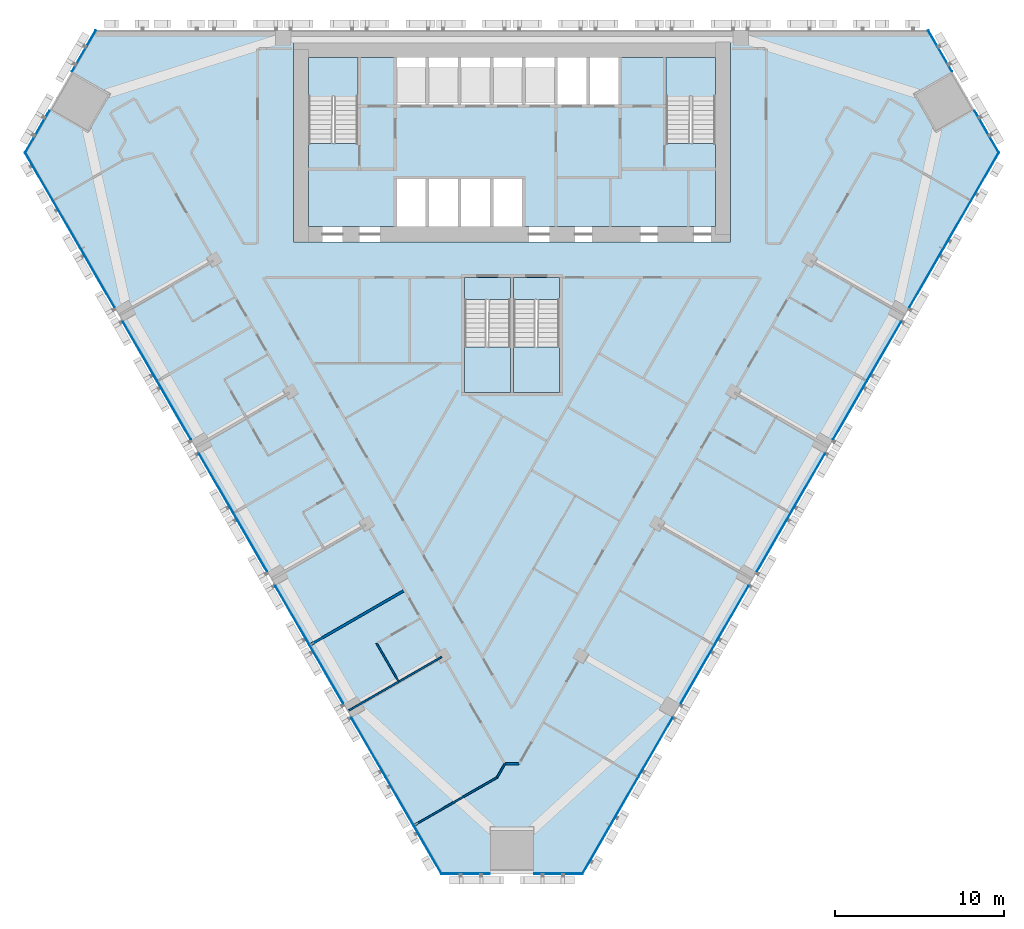
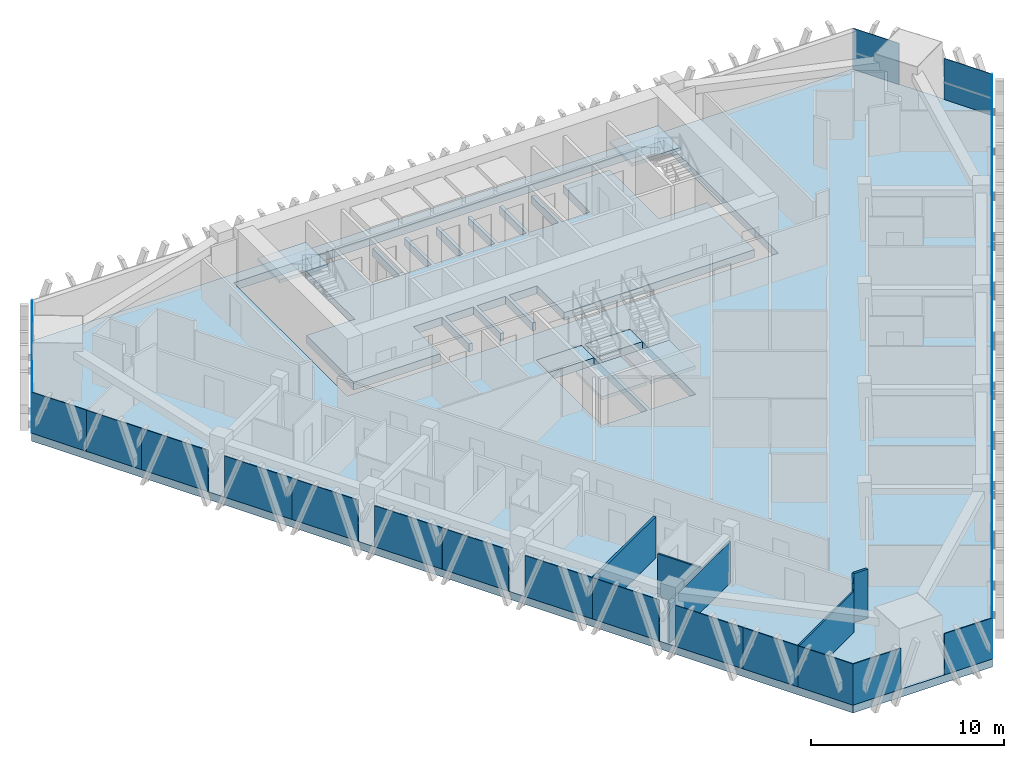
# One storey, part 8 of 16: 30 plates, 8 slabs, 6 walls, 9 elements without a shape of their own.
"""IFC4 building model written with IfcOpenShell, lengths in metres."""

from ifc_helpers import new_model, si_unit, direction, frame, frame_2d, origin, origin_2d, place, context, subcontext, project, spatial, polyline, rectangle, outline, extrude, material, layer, layer_set, type_object, element, aggregate, save


model = new_model("IFC4")

# Units and contexts
model_context = context("Model", 3, precision=1e-05, world=origin(), true_north=direction((0.0, 1.0)))
body_context = subcontext(model_context, "Body", "Model", "MODEL_VIEW")
ifc_project = project(units=[si_unit("LENGTHUNIT", "METRE"), si_unit("AREAUNIT", "SQUARE_METRE"), si_unit("VOLUMEUNIT", "CUBIC_METRE"), si_unit("PLANEANGLEUNIT", "RADIAN"), si_unit("MASSUNIT", "GRAM", prefix="KILO")], contexts=[model_context])

# Site, building, storey
site_placement = place(None, origin())
site = spatial("IfcSite", under=ifc_project, at=site_placement, CompositionType="ELEMENT")
building_placement = place(site_placement, origin())
building = spatial("IfcBuilding", under=site, at=building_placement, Name="Altiplano Prism Tower", CompositionType="ELEMENT")
storey_placement = place(building_placement, frame((0.0, 0.0, 104.39990234375)))
storey = spatial("IfcBuildingStorey", under=building, at=storey_placement, Name="L26", CompositionType="ELEMENT", Elevation=104.39990234375)

# Curtain wall, plates
ifc_material_1 = material(Name="Aluminium and glass", Category="aluminium")
ifc_layer_1 = layer(ifc_material_1, 0.280029296875)
ifc_layer_set_1 = layer_set([ifc_layer_1], Name="Aluminium and glass")
curtain_wall_type = type_object("IfcCurtainWallType", Name="CW1 typical co-living unitised curtain wall", PredefinedType="NOTDEFINED", material=ifc_layer_set_1)
curtain_wall_1_placement = place(storey_placement, origin())
curtain_wall_1 = element("IfcCurtainWall", 1, at=curtain_wall_1_placement, inside=storey, type_object=curtain_wall_type, Name="CW1 curtain wall north-west chamfer L26", PredefinedType="NOTDEFINED")
ifc_material_2 = material(Name="Clear glass", Category="glass")
ifc_layer_2 = layer(ifc_material_2, 0.0400390625)
ifc_layer_set_2 = layer_set([ifc_layer_2], Name="Clear glass")
plate_type = type_object("IfcPlateType", Name="CW1 insulated glass unit 40", PredefinedType="CURTAIN_PANEL", material=ifc_layer_set_2)
plate_1_placement = place(storey_placement, frame((59.730712890625, 103.78076171875, 0.0), z_axis=(0.0, 0.0, 1.0), x_axis=(-0.500000036442, -0.866025382744, 0.0)))
plate_1 = element("IfcPlate", 2, at=plate_1_placement, type_object=plate_type, Name="CW1 panel", PredefinedType="CURTAIN_PANEL", context=body_context, shape_type="SweptSolid", body=[
    extrude(rectangle(XDim=2.78271484375, YDim=0.0400390625, at=origin_2d()), origin(), (0.0, 0.0, 1.0), 2.60009765625),
])
plate_2_placement = place(storey_placement, frame((56.974609375, 99.0068359375, 0.0), z_axis=(0.0, 0.0, 1.0), x_axis=(-0.500000036442, -0.866025382744, 0.0)))
plate_2 = element("IfcPlate", 3, at=plate_2_placement, type_object=plate_type, Name="CW1 panel", PredefinedType="CURTAIN_PANEL", context=body_context, shape_type="SweptSolid", body=[
    extrude(rectangle(XDim=2.862548828125, YDim=0.0400390625, at=origin_2d()), origin(), (0.0, 0.0, 1.0), 2.60009765625),
])
aggregate(curtain_wall_1, [plate_1, plate_2])

curtain_wall_2_placement = place(storey_placement, origin())
curtain_wall_2 = element("IfcCurtainWall", 4, at=curtain_wall_2_placement, inside=storey, type_object=curtain_wall_type, Name="CW1 curtain wall south-west face L26", PredefinedType="NOTDEFINED")
plate_3_placement = place(storey_placement, frame((57.079833984375, 96.3564453125, 0.0), z_axis=(0.0, 0.0, 1.0), x_axis=(0.500000003371, -0.866025401838, 0.0)))
plate_3 = element("IfcPlate", 5, at=plate_3_placement, type_object=plate_type, Name="CW1 panel", PredefinedType="CURTAIN_PANEL", context=body_context, shape_type="SweptSolid", body=[
    extrude(rectangle(XDim=3.2841796875, YDim=0.0400390625, at=origin_2d()), origin(), (0.0, 0.0, 1.0), 2.60009765625),
])
plate_4_placement = place(storey_placement, frame((58.72705078125, 93.503662109375, 0.0), z_axis=(0.0, 0.0, 1.0), x_axis=(0.500000003371, -0.866025401838, 0.0)))
plate_4 = element("IfcPlate", 6, at=plate_4_placement, type_object=plate_type, Name="CW1 panel", PredefinedType="CURTAIN_PANEL", context=body_context, shape_type="SweptSolid", body=[
    extrude(rectangle(XDim=3.2841796875, YDim=0.0400390625, at=origin_2d()), origin(), (0.0, 0.0, 1.0), 2.60009765625),
])
plate_5_placement = place(storey_placement, frame((60.543212890625, 90.35791015625, 0.0), z_axis=(0.0, 0.0, 1.0), x_axis=(0.500000003371, -0.866025401838, 0.0)))
plate_5 = element("IfcPlate", 7, at=plate_5_placement, type_object=plate_type, Name="CW1 panel", PredefinedType="CURTAIN_PANEL", context=body_context, shape_type="SweptSolid", body=[
    extrude(rectangle(XDim=3.96044921875, YDim=0.0400390625, at=origin_2d()), origin(), (0.0, 0.0, 1.0), 2.60009765625),
])
plate_6_placement = place(storey_placement, frame((63.038330078125, 86.036376953125, 0.0), z_axis=(0.0, 0.0, 1.0), x_axis=(0.500000003371, -0.866025401838, 0.0)))
plate_6 = element("IfcPlate", 8, at=plate_6_placement, type_object=plate_type, Name="CW1 panel", PredefinedType="CURTAIN_PANEL", context=body_context, shape_type="SweptSolid", body=[
    extrude(rectangle(XDim=4.039306640625, YDim=0.0400390625, at=origin_2d()), origin(), (0.0, 0.0, 1.0), 2.60009765625),
])
plate_7_placement = place(storey_placement, frame((65.043212890625, 82.563720703125, 0.0), z_axis=(0.0, 0.0, 1.0), x_axis=(0.500000003371, -0.866025401838, 0.0)))
plate_7 = element("IfcPlate", 9, at=plate_7_placement, type_object=plate_type, Name="CW1 panel", PredefinedType="CURTAIN_PANEL", context=body_context, shape_type="SweptSolid", body=[
    extrude(rectangle(XDim=3.96044921875, YDim=0.0400390625, at=origin_2d()), origin(), (0.0, 0.0, 1.0), 2.60009765625),
])
plate_8_placement = place(storey_placement, frame((67.538330078125, 78.2421875, 0.0), z_axis=(0.0, 0.0, 1.0), x_axis=(0.500000003371, -0.866025401838, 0.0)))
plate_8 = element("IfcPlate", 10, at=plate_8_placement, type_object=plate_type, Name="CW1 panel", PredefinedType="CURTAIN_PANEL", context=body_context, shape_type="SweptSolid", body=[
    extrude(rectangle(XDim=4.039306640625, YDim=0.0400390625, at=origin_2d()), origin(), (0.0, 0.0, 1.0), 2.60009765625),
])
plate_9_placement = place(storey_placement, frame((69.543212890625, 74.76953125, 0.0), z_axis=(0.0, 0.0, 1.0), x_axis=(0.500000003371, -0.866025401838, 0.0)))
plate_9 = element("IfcPlate", 11, at=plate_9_placement, type_object=plate_type, Name="CW1 panel", PredefinedType="CURTAIN_PANEL", context=body_context, shape_type="SweptSolid", body=[
    extrude(rectangle(XDim=3.96044921875, YDim=0.0400390625, at=origin_2d()), origin(), (0.0, 0.0, 1.0), 2.60009765625),
])
plate_10_placement = place(storey_placement, frame((72.038330078125, 70.447998046875, 0.0), z_axis=(0.0, 0.0, 1.0), x_axis=(0.500000003371, -0.866025401838, 0.0)))
plate_10 = element("IfcPlate", 12, at=plate_10_placement, type_object=plate_type, Name="CW1 panel", PredefinedType="CURTAIN_PANEL", context=body_context, shape_type="SweptSolid", body=[
    extrude(rectangle(XDim=4.039306640625, YDim=0.0400390625, at=origin_2d()), origin(), (0.0, 0.0, 1.0), 2.60009765625),
])
plate_11_placement = place(storey_placement, frame((74.043212890625, 66.975341796875, 0.0), z_axis=(0.0, 0.0, 1.0), x_axis=(0.500000003371, -0.866025401838, 0.0)))
plate_11 = element("IfcPlate", 13, at=plate_11_placement, type_object=plate_type, Name="CW1 panel", PredefinedType="CURTAIN_PANEL", context=body_context, shape_type="SweptSolid", body=[
    extrude(rectangle(XDim=3.96044921875, YDim=0.0400390625, at=origin_2d()), origin(), (0.0, 0.0, 1.0), 2.60009765625),
])
plate_12_placement = place(storey_placement, frame((76.538330078125, 62.65380859375, 0.0), z_axis=(0.0, 0.0, 1.0), x_axis=(0.500000003371, -0.866025401838, 0.0)))
plate_12 = element("IfcPlate", 14, at=plate_12_placement, type_object=plate_type, Name="CW1 panel", PredefinedType="CURTAIN_PANEL", context=body_context, shape_type="SweptSolid", body=[
    extrude(rectangle(XDim=4.039306640625, YDim=0.0400390625, at=origin_2d()), origin(), (0.0, 0.0, 1.0), 2.60009765625),
])
plate_13_placement = place(storey_placement, frame((78.3740234375, 59.473876953125, 0.0), z_axis=(0.0, 0.0, 1.0), x_axis=(0.500000003371, -0.866025401838, 0.0)))
plate_13 = element("IfcPlate", 15, at=plate_13_placement, type_object=plate_type, Name="CW1 panel", PredefinedType="CURTAIN_PANEL", context=body_context, shape_type="SweptSolid", body=[
    extrude(rectangle(XDim=3.2841796875, YDim=0.0400390625, at=origin_2d()), origin(), (0.0, 0.0, 1.0), 2.60009765625),
])
plate_14_placement = place(storey_placement, frame((80.021240234375, 56.62109375, 0.0), z_axis=(0.0, 0.0, 1.0), x_axis=(0.500000003371, -0.866025401838, 0.0)))
plate_14 = element("IfcPlate", 16, at=plate_14_placement, type_object=plate_type, Name="CW1 panel", PredefinedType="CURTAIN_PANEL", context=body_context, shape_type="SweptSolid", body=[
    extrude(rectangle(XDim=3.2841796875, YDim=0.0400390625, at=origin_2d()), origin(), (0.0, 0.0, 1.0), 2.60009765625),
])
aggregate(curtain_wall_2, [plate_3, plate_4, plate_5, plate_6, plate_7, plate_8, plate_9, plate_10, plate_11, plate_12, plate_13, plate_14])

curtain_wall_3_placement = place(storey_placement, origin())
curtain_wall_3 = element("IfcCurtainWall", 17, at=curtain_wall_3_placement, inside=storey, type_object=curtain_wall_type, Name="CW1 curtain wall south chamfer L26", PredefinedType="NOTDEFINED")
plate_15_placement = place(storey_placement, frame((82.263671875, 55.20458984375, 0.0), z_axis=(0.0, 0.0, 1.0), x_axis=(1.0, 0.0, 0.0)))
plate_15 = element("IfcPlate", 18, at=plate_15_placement, type_object=plate_type, Name="CW1 panel", PredefinedType="CURTAIN_PANEL", context=body_context, shape_type="SweptSolid", body=[
    extrude(rectangle(XDim=2.862548828125, YDim=0.0400390625, at=origin_2d()), origin(), (0.0, 0.0, 1.0), 2.60009765625),
])
plate_16_placement = place(storey_placement, frame((87.736328125, 55.20458984375, 0.0), z_axis=(0.0, 0.0, 1.0), x_axis=(1.0, 0.0, 0.0)))
plate_16 = element("IfcPlate", 19, at=plate_16_placement, type_object=plate_type, Name="CW1 panel", PredefinedType="CURTAIN_PANEL", context=body_context, shape_type="SweptSolid", body=[
    extrude(rectangle(XDim=2.862548828125, YDim=0.0400390625, at=origin_2d()), origin(), (0.0, 0.0, 1.0), 2.60009765625),
])
aggregate(curtain_wall_3, [plate_15, plate_16])

curtain_wall_4_placement = place(storey_placement, origin())
curtain_wall_4 = element("IfcCurtainWall", 20, at=curtain_wall_4_placement, inside=storey, type_object=curtain_wall_type, Name="CW1 curtain wall south-east face L26", PredefinedType="NOTDEFINED")
plate_17_placement = place(storey_placement, frame((89.978759765625, 56.62109375, 0.0), z_axis=(0.0, 0.0, 1.0), x_axis=(0.500000003371, 0.866025401838, 0.0)))
plate_17 = element("IfcPlate", 21, at=plate_17_placement, type_object=plate_type, Name="CW1 panel", PredefinedType="CURTAIN_PANEL", context=body_context, shape_type="SweptSolid", body=[
    extrude(rectangle(XDim=3.2841796875, YDim=0.0400390625, at=origin_2d()), origin(), (0.0, 0.0, 1.0), 2.60009765625),
])
plate_18_placement = place(storey_placement, frame((91.6259765625, 59.473876953125, 0.0), z_axis=(0.0, 0.0, 1.0), x_axis=(0.500000003371, 0.866025401838, 0.0)))
plate_18 = element("IfcPlate", 22, at=plate_18_placement, type_object=plate_type, Name="CW1 panel", PredefinedType="CURTAIN_PANEL", context=body_context, shape_type="SweptSolid", body=[
    extrude(rectangle(XDim=3.2841796875, YDim=0.0400390625, at=origin_2d()), origin(), (0.0, 0.0, 1.0), 2.60009765625),
])
plate_19_placement = place(storey_placement, frame((93.461669921875, 62.65380859375, 0.0), z_axis=(0.0, 0.0, 1.0), x_axis=(0.500000003371, 0.866025401838, 0.0)))
plate_19 = element("IfcPlate", 23, at=plate_19_placement, type_object=plate_type, Name="CW1 panel", PredefinedType="CURTAIN_PANEL", context=body_context, shape_type="SweptSolid", body=[
    extrude(rectangle(XDim=4.039306640625, YDim=0.0400390625, at=origin_2d()), origin(), (0.0, 0.0, 1.0), 2.60009765625),
])
plate_20_placement = place(storey_placement, frame((95.956787109375, 66.975341796875, 0.0), z_axis=(0.0, 0.0, 1.0), x_axis=(0.500000003371, 0.866025401838, 0.0)))
plate_20 = element("IfcPlate", 24, at=plate_20_placement, type_object=plate_type, Name="CW1 panel", PredefinedType="CURTAIN_PANEL", context=body_context, shape_type="SweptSolid", body=[
    extrude(rectangle(XDim=3.96044921875, YDim=0.0400390625, at=origin_2d()), origin(), (0.0, 0.0, 1.0), 2.60009765625),
])
plate_21_placement = place(storey_placement, frame((97.961669921875, 70.447998046875, 0.0), z_axis=(0.0, 0.0, 1.0), x_axis=(0.500000003371, 0.866025401838, 0.0)))
plate_21 = element("IfcPlate", 25, at=plate_21_placement, type_object=plate_type, Name="CW1 panel", PredefinedType="CURTAIN_PANEL", context=body_context, shape_type="SweptSolid", body=[
    extrude(rectangle(XDim=4.039306640625, YDim=0.0400390625, at=origin_2d()), origin(), (0.0, 0.0, 1.0), 2.60009765625),
])
plate_22_placement = place(storey_placement, frame((100.456787109375, 74.76953125, 0.0), z_axis=(0.0, 0.0, 1.0), x_axis=(0.500000003371, 0.866025401838, 0.0)))
plate_22 = element("IfcPlate", 26, at=plate_22_placement, type_object=plate_type, Name="CW1 panel", PredefinedType="CURTAIN_PANEL", context=body_context, shape_type="SweptSolid", body=[
    extrude(rectangle(XDim=3.96044921875, YDim=0.0400390625, at=origin_2d()), origin(), (0.0, 0.0, 1.0), 2.60009765625),
])
plate_23_placement = place(storey_placement, frame((102.461669921875, 78.2421875, 0.0), z_axis=(0.0, 0.0, 1.0), x_axis=(0.500000003371, 0.866025401838, 0.0)))
plate_23 = element("IfcPlate", 27, at=plate_23_placement, type_object=plate_type, Name="CW1 panel", PredefinedType="CURTAIN_PANEL", context=body_context, shape_type="SweptSolid", body=[
    extrude(rectangle(XDim=4.039306640625, YDim=0.0400390625, at=origin_2d()), origin(), (0.0, 0.0, 1.0), 2.60009765625),
])
plate_24_placement = place(storey_placement, frame((104.956787109375, 82.563720703125, 0.0), z_axis=(0.0, 0.0, 1.0), x_axis=(0.500000003371, 0.866025401838, 0.0)))
plate_24 = element("IfcPlate", 28, at=plate_24_placement, type_object=plate_type, Name="CW1 panel", PredefinedType="CURTAIN_PANEL", context=body_context, shape_type="SweptSolid", body=[
    extrude(rectangle(XDim=3.96044921875, YDim=0.0400390625, at=origin_2d()), origin(), (0.0, 0.0, 1.0), 2.60009765625),
])
plate_25_placement = place(storey_placement, frame((106.961669921875, 86.036376953125, 0.0), z_axis=(0.0, 0.0, 1.0), x_axis=(0.500000003371, 0.866025401838, 0.0)))
plate_25 = element("IfcPlate", 29, at=plate_25_placement, type_object=plate_type, Name="CW1 panel", PredefinedType="CURTAIN_PANEL", context=body_context, shape_type="SweptSolid", body=[
    extrude(rectangle(XDim=4.039306640625, YDim=0.0400390625, at=origin_2d()), origin(), (0.0, 0.0, 1.0), 2.60009765625),
])
plate_26_placement = place(storey_placement, frame((109.456787109375, 90.35791015625, 0.0), z_axis=(0.0, 0.0, 1.0), x_axis=(0.500000003371, 0.866025401838, 0.0)))
plate_26 = element("IfcPlate", 30, at=plate_26_placement, type_object=plate_type, Name="CW1 panel", PredefinedType="CURTAIN_PANEL", context=body_context, shape_type="SweptSolid", body=[
    extrude(rectangle(XDim=3.96044921875, YDim=0.0400390625, at=origin_2d()), origin(), (0.0, 0.0, 1.0), 2.60009765625),
])
plate_27_placement = place(storey_placement, frame((111.27294921875, 93.503662109375, 0.0), z_axis=(0.0, 0.0, 1.0), x_axis=(0.500000003371, 0.866025401838, 0.0)))
plate_27 = element("IfcPlate", 31, at=plate_27_placement, type_object=plate_type, Name="CW1 panel", PredefinedType="CURTAIN_PANEL", context=body_context, shape_type="SweptSolid", body=[
    extrude(rectangle(XDim=3.2841796875, YDim=0.0400390625, at=origin_2d()), origin(), (0.0, 0.0, 1.0), 2.60009765625),
])
plate_28_placement = place(storey_placement, frame((112.920166015625, 96.3564453125, 0.0), z_axis=(0.0, 0.0, 1.0), x_axis=(0.500000003371, 0.866025401838, 0.0)))
plate_28 = element("IfcPlate", 32, at=plate_28_placement, type_object=plate_type, Name="CW1 panel", PredefinedType="CURTAIN_PANEL", context=body_context, shape_type="SweptSolid", body=[
    extrude(rectangle(XDim=3.2841796875, YDim=0.0400390625, at=origin_2d()), origin(), (0.0, 0.0, 1.0), 2.60009765625),
])
aggregate(curtain_wall_4, [plate_17, plate_18, plate_19, plate_20, plate_21, plate_22, plate_23, plate_24, plate_25, plate_26, plate_27, plate_28])

curtain_wall_5_placement = place(storey_placement, origin())
curtain_wall_5 = element("IfcCurtainWall", 33, at=curtain_wall_5_placement, inside=storey, type_object=curtain_wall_type, Name="CW1 curtain wall north-east chamfer L26", PredefinedType="NOTDEFINED")
plate_29_placement = place(storey_placement, frame((113.025390625, 99.0068359375, 0.0), z_axis=(0.0, 0.0, 1.0), x_axis=(-0.500000036442, 0.866025382744, 0.0)))
plate_29 = element("IfcPlate", 34, at=plate_29_placement, type_object=plate_type, Name="CW1 panel", PredefinedType="CURTAIN_PANEL", context=body_context, shape_type="SweptSolid", body=[
    extrude(rectangle(XDim=2.862548828125, YDim=0.0400390625, at=origin_2d()), origin(), (0.0, 0.0, 1.0), 2.60009765625),
])
plate_30_placement = place(storey_placement, frame((110.269287109375, 103.78076171875, 0.0), z_axis=(0.0, 0.0, 1.0), x_axis=(-0.500000036442, 0.866025382744, 0.0)))
plate_30 = element("IfcPlate", 35, at=plate_30_placement, type_object=plate_type, Name="CW1 panel", PredefinedType="CURTAIN_PANEL", context=body_context, shape_type="SweptSolid", body=[
    extrude(rectangle(XDim=2.78271484375, YDim=0.0400390625, at=origin_2d()), origin(), (0.0, 0.0, 1.0), 2.60009765625),
])
aggregate(curtain_wall_5, [plate_29, plate_30])

# Slabs
ifc_material_3 = material(Name="Concrete C40/50", Category="concrete")
ifc_layer_3 = layer(ifc_material_3, 0.5)
ifc_layer_set_3 = layer_set([ifc_layer_3], Name="Concrete C40/50")
slab_type_1 = type_object("IfcSlabType", Name="Core floor slab 500", PredefinedType="FLOOR", material=ifc_layer_set_3)
slab_1_placement = place(storey_placement, frame((0.0, 0.0, -0.5)))
element("IfcSlab", 36, at=slab_1_placement, inside=storey, type_object=slab_type_1, Name="Core floor slab L26", PredefinedType="FLOOR", context=body_context, shape_type="SweptSolid", body=[
    extrude(outline(polyline([(97.0, 98.31005859375), (94.10009765625, 98.31005859375), (94.10009765625, 103.39990234375), (91.300048828125, 103.39990234375), (91.300048828125, 100.60009765625), (89.60009765625, 100.60009765625), (89.60009765625, 103.39990234375), (89.39990234375, 103.39990234375), (89.39990234375, 100.60009765625), (87.699951171875, 100.60009765625), (87.699951171875, 103.39990234375), (87.5, 103.39990234375), (87.5, 100.60009765625), (85.800048828125, 100.60009765625), (85.800048828125, 103.39990234375), (85.60009765625, 103.39990234375), (85.60009765625, 100.60009765625), (83.89990234375, 100.60009765625), (83.89990234375, 103.39990234375), (83.699951171875, 103.39990234375), (83.699951171875, 100.60009765625), (82.0, 100.60009765625), (82.0, 103.39990234375), (81.800048828125, 103.39990234375), (81.800048828125, 100.60009765625), (80.10009765625, 100.60009765625), (80.10009765625, 103.39990234375), (79.89990234375, 103.39990234375), (79.89990234375, 100.60009765625), (78.199951171875, 100.60009765625), (78.199951171875, 103.39990234375), (75.89990234375, 103.39990234375), (75.89990234375, 98.31005859375), (73.0, 98.31005859375), (73.0, 93.39990234375), (78.199951171875, 93.39990234375), (78.199951171875, 96.199951171875), (79.89990234375, 96.199951171875), (79.89990234375, 93.39990234375), (80.10009765625, 93.39990234375), (80.10009765625, 96.199951171875), (81.800048828125, 96.199951171875), (81.800048828125, 93.39990234375), (82.0, 93.39990234375), (82.0, 96.199951171875), (83.699951171875, 96.199951171875), (83.699951171875, 93.39990234375), (83.89990234375, 93.39990234375), (83.89990234375, 96.199951171875), (85.60009765625, 96.199951171875), (85.60009765625, 93.39990234375), (97.0, 93.39990234375), (97.0, 98.31005859375)])), origin(), (0.0, 0.0, 1.0), 0.5),
])
slab_2_placement = place(storey_placement, frame((0.0, 0.0, -0.5)))
element("IfcSlab", 37, at=slab_2_placement, inside=storey, type_object=slab_type_1, Name="Stair 3A landing slab L26", PredefinedType="FLOOR", context=body_context, shape_type="SweptSolid", body=[
    extrude(outline(polyline([(82.199951171875, 89.096923828125), (84.89990234375, 89.096923828125), (84.89990234375, 90.39990234375), (82.199951171875, 90.39990234375), (82.199951171875, 89.096923828125)])), origin(), (0.0, 0.0, 1.0), 0.5),
])
slab_3_placement = place(storey_placement, frame((0.0, 0.0, -0.5)))
element("IfcSlab", 38, at=slab_3_placement, inside=storey, type_object=slab_type_1, Name="Stair 3B landing slab L26", PredefinedType="FLOOR", context=body_context, shape_type="SweptSolid", body=[
    extrude(outline(polyline([(85.10009765625, 89.096923828125), (87.800048828125, 89.096923828125), (87.800048828125, 90.39990234375), (85.10009765625, 90.39990234375), (85.10009765625, 89.096923828125)])), origin(), (0.0, 0.0, 1.0), 0.5),
])
ifc_layer_4 = layer(ifc_material_3, 0.5)
ifc_layer_set_4 = layer_set([ifc_layer_4], Name="Concrete C40/50")
slab_type_2 = type_object("IfcSlabType", Name="Post-tensioned flat slab 500", PredefinedType="FLOOR", material=ifc_layer_set_4)
slab_4_placement = place(storey_placement, frame((0.0, 0.0, -0.5)))
element("IfcSlab", 39, at=slab_4_placement, inside=storey, type_object=slab_type_2, Name="Floor slab L26", PredefinedType="FLOOR", context=body_context, shape_type="SweptSolid", body=[
    extrude(outline(polyline([(80.827392578125, 55.1845703125), (56.239013671875, 97.77294921875), (60.41162109375, 105.0), (109.58837890625, 105.0), (113.760986328125, 97.77294921875), (89.172607421875, 55.1845703125), (80.827392578125, 55.1845703125)]), holes=[polyline([(72.10009765625, 104.300048828125), (72.10009765625, 92.5), (97.89990234375, 92.5), (97.89990234375, 104.300048828125), (72.10009765625, 104.300048828125)]), polyline([(84.89990234375, 90.39990234375), (82.199951171875, 90.39990234375), (82.199951171875, 83.60009765625), (84.89990234375, 83.60009765625), (84.89990234375, 90.39990234375)]), polyline([(87.800048828125, 83.60009765625), (87.800048828125, 90.39990234375), (85.10009765625, 90.39990234375), (85.10009765625, 83.60009765625), (87.800048828125, 83.60009765625)])]), origin(), (0.0, 0.0, 1.0), 0.5),
])

# Stair, slab
stair_type_1 = type_object("IfcStairType", Name="Exit stair 1400", PredefinedType="HALF_TURN_STAIR", material=ifc_material_3)
stair_1_placement = place(storey_placement, origin())
stair_1 = element("IfcStair", 40, at=stair_1_placement, inside=storey, type_object=stair_type_1, Name="L26 Exit Stair 1", PredefinedType="HALF_TURN_STAIR")
ifc_layer_5 = layer(ifc_material_3, 0.199951171875)
ifc_layer_set_5 = layer_set([ifc_layer_5], Name="Concrete C40/50")
slab_type_3 = type_object("IfcSlabType", Name="Stair landing 200", PredefinedType="LANDING", material=ifc_layer_set_5)
slab_5_placement = place(storey_placement, frame((0.0, 0.0, 1.60009765625)))
slab_5 = element("IfcSlab", 41, at=slab_5_placement, type_object=slab_type_3, Name="ST1 landing 1", PredefinedType="LANDING", context=body_context, shape_type="SweptSolid", body=[
    extrude(outline(polyline([(75.89990234375, 101.096923828125), (75.89990234375, 103.39990234375), (73.0, 103.39990234375), (73.0, 101.096923828125), (75.89990234375, 101.096923828125)])), origin(), (0.0, 0.0, 1.0), 0.199951171875),
])
aggregate(stair_1, [slab_5])

stair_2_placement = place(storey_placement, origin())
stair_2 = element("IfcStair", 42, at=stair_2_placement, inside=storey, type_object=stair_type_1, Name="L26 Exit Stair 2", PredefinedType="HALF_TURN_STAIR")
slab_6_placement = place(storey_placement, frame((0.0, 0.0, 1.60009765625)))
slab_6 = element("IfcSlab", 43, at=slab_6_placement, type_object=slab_type_3, Name="ST2 landing 1", PredefinedType="LANDING", context=body_context, shape_type="SweptSolid", body=[
    extrude(outline(polyline([(97.0, 101.096923828125), (97.0, 103.39990234375), (94.10009765625, 103.39990234375), (94.10009765625, 101.096923828125), (97.0, 101.096923828125)])), origin(), (0.0, 0.0, 1.0), 0.199951171875),
])
aggregate(stair_2, [slab_6])

stair_type_2 = type_object("IfcStairType", Name="Exit stair 1300", PredefinedType="HALF_TURN_STAIR", material=ifc_material_3)
stair_3_placement = place(storey_placement, origin())
stair_3 = element("IfcStair", 44, at=stair_3_placement, inside=storey, type_object=stair_type_2, Name="L26 Exit Stair 3A", PredefinedType="HALF_TURN_STAIR")
slab_7_placement = place(storey_placement, frame((0.0, 0.0, 1.60009765625)))
slab_7 = element("IfcSlab", 45, at=slab_7_placement, type_object=slab_type_3, Name="ST3A landing 1", PredefinedType="LANDING", context=body_context, shape_type="SweptSolid", body=[
    extrude(outline(polyline([(82.199951171875, 86.302978515625), (82.199951171875, 83.60009765625), (84.89990234375, 83.60009765625), (84.89990234375, 86.302978515625), (82.199951171875, 86.302978515625)])), origin(), (0.0, 0.0, 1.0), 0.199951171875),
])
aggregate(stair_3, [slab_7])

stair_4_placement = place(storey_placement, origin())
stair_4 = element("IfcStair", 46, at=stair_4_placement, inside=storey, type_object=stair_type_2, Name="L26 Exit Stair 3B", PredefinedType="HALF_TURN_STAIR")
slab_8_placement = place(storey_placement, frame((0.0, 0.0, 1.60009765625)))
slab_8 = element("IfcSlab", 47, at=slab_8_placement, type_object=slab_type_3, Name="ST3B landing 1", PredefinedType="LANDING", context=body_context, shape_type="SweptSolid", body=[
    extrude(outline(polyline([(85.10009765625, 86.302978515625), (85.10009765625, 83.60009765625), (87.800048828125, 83.60009765625), (87.800048828125, 86.302978515625), (85.10009765625, 86.302978515625)])), origin(), (0.0, 0.0, 1.0), 0.199951171875),
])
aggregate(stair_4, [slab_8])

# Walls
ifc_material_4 = material(Name="Plasterboard on steel stud", Category="steel")
ifc_layer_6 = layer(ifc_material_4, 0.10009765625)
ifc_layer_set_6 = layer_set([ifc_layer_6], Name="Plasterboard on steel stud")
wall_type_1 = type_object("IfcWallType", Name="Partition 100 unit", PredefinedType="PARTITIONING", material=ifc_layer_set_6)
wall_1_placement = place(storey_placement, frame((78.289306640625, 66.580810546875, 0.0), z_axis=(0.0, 0.0, 1.0), x_axis=(-0.499990435942, 0.866030925526, 0.0)))
element("IfcWall", 48, at=wall_1_placement, inside=storey, type_object=wall_type_1, Name="Partition P02 L26 060", PredefinedType="PARTITIONING", context=body_context, shape_type="SweptSolid", body=[
    extrude(rectangle(XDim=2.5498046875, YDim=0.10009765625, at=frame_2d((1.27490234375, 0.0))), origin(), (0.0, 0.0, 1.0), 2.7001953125),
])
ifc_layer_7 = layer(ifc_material_4, 0.10009765625)
ifc_layer_set_7 = layer_set([ifc_layer_7], Name="Plasterboard on steel stud")
wall_type_2 = type_object("IfcWallType", Name="Partition 100 wet", PredefinedType="PARTITIONING", material=ifc_layer_set_7)
wall_2_placement = place(storey_placement, frame((75.369873046875, 64.83740234375, 0.0), z_axis=(0.0, 0.0, 1.0), x_axis=(0.866015887322, 0.500016482634, 0.0)))
element("IfcWall", 49, at=wall_2_placement, inside=storey, type_object=wall_type_2, Name="Partition P03 L26 062", PredefinedType="PARTITIONING", context=body_context, shape_type="SweptSolid", body=[
    extrude(rectangle(XDim=6.324951171875, YDim=0.10009765625, at=frame_2d((3.16259765625, 0.0))), origin(), (0.0, 0.0, 1.0), 2.60009765625),
])
wall_3_placement = place(storey_placement, frame((79.24951171875, 58.077392578125, 0.0), z_axis=(0.0, 0.0, 1.0), x_axis=(0.866017924271, 0.500012954673, 0.0)))
element("IfcWall", 50, at=wall_3_placement, inside=storey, type_object=wall_type_2, Name="Partition P03 L26 063", PredefinedType="PARTITIONING", context=body_context, shape_type="SweptSolid", body=[
    extrude(rectangle(XDim=5.625732421875, YDim=0.10009765625, at=frame_2d((2.81298828125, 0.0))), origin(), (0.0, 0.0, 1.0), 2.60009765625),
])
wall_4_placement = place(storey_placement, frame((84.12158203125, 60.890380859375, 0.0), z_axis=(0.0, 0.0, 1.0), x_axis=(0.500175591747, 0.865924002104, 0.0)))
element("IfcWall", 51, at=wall_4_placement, inside=storey, type_object=wall_type_2, Name="Partition P03 L26 064", PredefinedType="PARTITIONING", context=body_context, shape_type="SweptSolid", body=[
    extrude(rectangle(XDim=0.917236328125, YDim=0.10009765625, at=frame_2d((0.45849609375, 0.0))), origin(), (0.0, 0.0, 1.0), 3.10009765625),
])
ifc_layer_8 = layer(ifc_material_4, 0.14990234375)
ifc_layer_set_8 = layer_set([ifc_layer_8], Name="Plasterboard on steel stud")
wall_type_3 = type_object("IfcWallType", Name="Partition 150 corridor", PredefinedType="PARTITIONING", material=ifc_layer_set_8)
wall_5_placement = place(storey_placement, frame((84.580322265625, 61.6845703125, 0.0), z_axis=(0.0, 0.0, 1.0), x_axis=(1.0, 0.0, 0.0)))
element("IfcWall", 52, at=wall_5_placement, inside=storey, type_object=wall_type_3, Name="Partition P06 L26 004", PredefinedType="PARTITIONING", context=body_context, shape_type="SweptSolid", body=[
    extrude(rectangle(XDim=0.83935546875, YDim=0.14990234375, at=frame_2d((0.419677734375, 0.0))), origin(), (0.0, 0.0, 1.0), 3.10009765625),
])
ifc_layer_9 = layer(ifc_material_4, 0.14990234375)
ifc_layer_set_9 = layer_set([ifc_layer_9], Name="Plasterboard on steel stud")
wall_type_4 = type_object("IfcWallType", Name="Partition 150 party", PredefinedType="PARTITIONING", material=ifc_layer_set_9)
wall_6_placement = place(storey_placement, frame((73.102294921875, 68.724365234375, 0.0), z_axis=(0.0, 0.0, 1.0), x_axis=(0.866025401434, 0.500000004071, 0.0)))
element("IfcWall", 53, at=wall_6_placement, inside=storey, type_object=wall_type_4, Name="Partition P01 L26 059", PredefinedType="PARTITIONING", context=body_context, shape_type="SweptSolid", body=[
    extrude(rectangle(XDim=6.34521484375, YDim=0.14990234375, at=frame_2d((3.172607421875, 0.0))), origin(), (0.0, 0.0, 1.0), 2.60009765625),
])

save(model, "model.ifc")
